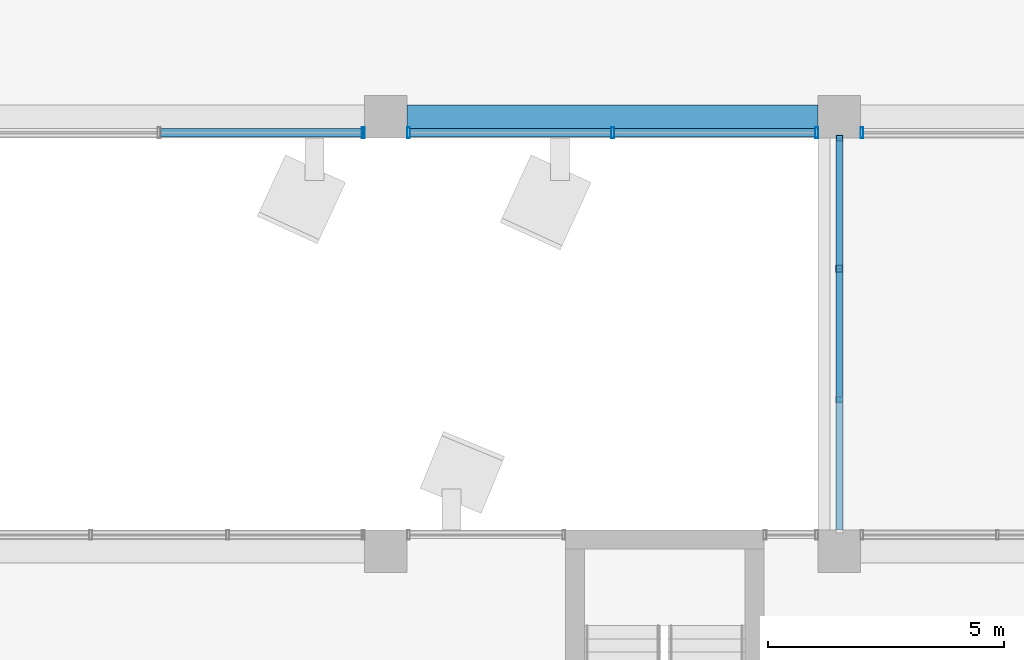
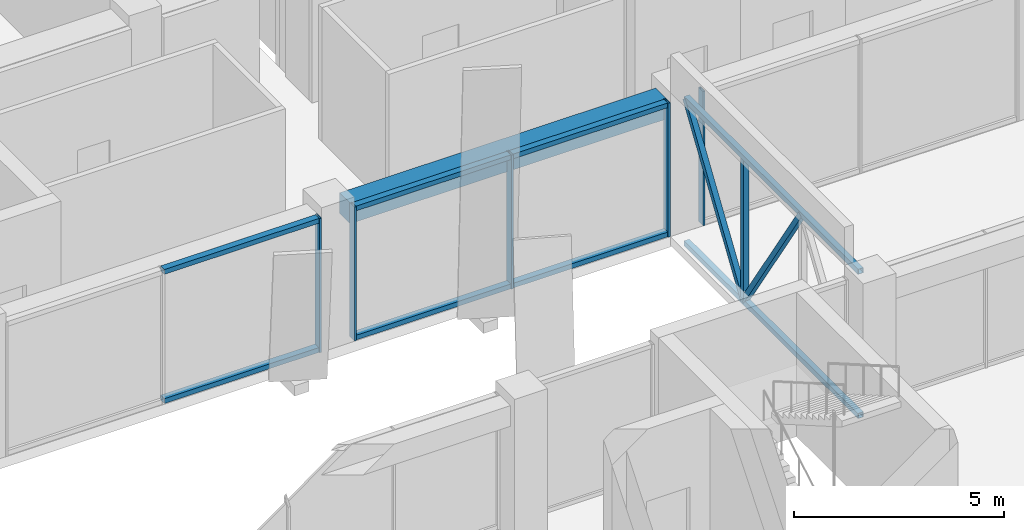
# One storey, part 10 of 38: 16 members, 1 beam, 3 elements without a shape of their own.
"""IFC4 building model written with IfcOpenShell, lengths in metres."""

import ifcopenshell
import ifcopenshell.guid

model = None  # the IFC model being written
_history = None  # IfcOwnerHistory: only IFC2X3 demands one
_inside = {}  # id of a spatial element -> (the spatial element, [elements in it])
_under = {}  # id of a project, library or spatial element -> (it, [spatial elements below it])
_declared = {}  # id of a project -> (the project, [libraries it declares])
_typed = {}  # id of a type object -> (the type object, [elements of that type])
_made_of = {}  # id of a material, layer set ... -> (it, [elements and type objects made of it])


def new_model(schema):
    """Start an empty IFC model of exactly this schema.

    Asked for "IFC4X3", IfcOpenShell would pick the latest addendum, in which some entities
    have other attributes; the version numbers below select the first issue.
    IFC2X3 requires an IfcOwnerHistory on every rooted entity: one is made here for all.
    """
    global model, _history
    if schema == "IFC4X3":
        model = ifcopenshell.file(schema_version=(4, 3, 0, 0))
    else:
        model = ifcopenshell.file(schema=schema)
    _inside.clear()
    _under.clear()
    _declared.clear()
    _typed.clear()
    _made_of.clear()
    _history = None
    if model.schema == "IFC2X3":
        org = make("IfcOrganization", Name="unknown")
        user = make(
            "IfcPersonAndOrganization",
            ThePerson=make("IfcPerson", FamilyName="unknown"),
            TheOrganization=org,
        )
        app = make(
            "IfcApplication",
            ApplicationDeveloper=org,
            Version="unknown",
            ApplicationFullName="unknown",
            ApplicationIdentifier="unknown",
        )
        _history = make(
            "IfcOwnerHistory",
            OwningUser=user,
            OwningApplication=app,
            ChangeAction="ADDED",
            CreationDate=0,
        )
    return model


def make(cls, **values):
    """One entity of the class cls with the attributes given. An attribute that is None is left unset."""
    return model.create_entity(
        cls, **{name: value for name, value in values.items() if value is not None}
    )


def rooted(cls, **values):
    """An entity with a GlobalId (a new one), such as an element, a storey or a relation."""
    return make(cls, GlobalId=ifcopenshell.guid.new(), OwnerHistory=_history, **values)


def si_unit(unit_type, name, prefix=None):
    """IfcSIUnit, for example si_unit("LENGTHUNIT", "METRE", prefix="MILLI")."""
    return make("IfcSIUnit", UnitType=unit_type, Prefix=prefix, Name=name)


def assignment(units):
    """IfcUnitAssignment: the units of a project."""
    return None if units is None else make("IfcUnitAssignment", Units=units)


def point(xyz):
    """IfcCartesianPoint."""
    return None if xyz is None else make("IfcCartesianPoint", Coordinates=xyz)


def direction(xyz):
    """IfcDirection."""
    return None if xyz is None else make("IfcDirection", DirectionRatios=xyz)


def frame(location, z_axis=None, x_axis=None):
    """IfcAxis2Placement3D, a coordinate frame: its origin and axes. An axis left out is left unset."""
    return make(
        "IfcAxis2Placement3D",
        Location=point(location),
        Axis=direction(z_axis),
        RefDirection=direction(x_axis),
    )


def frame_2d(location, x_axis=None):
    """IfcAxis2Placement2D, a coordinate frame in the plane: its origin and x axis."""
    return make(
        "IfcAxis2Placement2D", Location=point(location), RefDirection=direction(x_axis)
    )


def origin():
    """The frame at (0, 0, 0) with its axes left unset."""
    return frame((0.0, 0.0, 0.0))


def origin_2d():
    """The frame at (0, 0) in the plane with its x axis left unset."""
    return frame_2d((0.0, 0.0))


def place(relative_to, where):
    """IfcLocalPlacement: puts the frame where relative to a parent placement (None: the world)."""
    return make(
        "IfcLocalPlacement", PlacementRelTo=relative_to, RelativePlacement=where
    )


def context(
    kind, dimensions, precision=None, world=None, true_north=None, identifier=None
):
    """IfcGeometricRepresentationContext, for example the 3D "Model" context."""
    return make(
        "IfcGeometricRepresentationContext",
        ContextIdentifier=identifier,
        ContextType=kind,
        CoordinateSpaceDimension=dimensions,
        Precision=precision,
        WorldCoordinateSystem=world,
        TrueNorth=true_north,
    )


def subcontext(parent, identifier, kind, view, scale=None):
    """IfcGeometricRepresentationSubContext, for example "Body" below "Model"."""
    return make(
        "IfcGeometricRepresentationSubContext",
        ContextIdentifier=identifier,
        ContextType=kind,
        ParentContext=parent,
        TargetScale=scale,
        TargetView=view,
    )


def project(units=None, contexts=None):
    """IfcProject with its units and contexts."""
    return rooted(
        "IfcProject",
        Name="project",
        RepresentationContexts=contexts,
        UnitsInContext=assignment(units),
    )


def spatial(cls, under=None, at=None, **own):
    """A site, building, storey or space (cls), placed at a placement, below another one or the project."""
    s = rooted(cls, ObjectPlacement=at, **own)
    if under is not None:
        _under.setdefault(under.id(), (under, []))[1].append(s)
    return s


def profile(cls, at=None, kind="AREA", **sizes):
    """A parametric profile (cls). Its sizes go by their IFC names, for example OverallWidth=200.0."""
    return make(cls, ProfileType=kind, Position=at, **sizes)


def rectangle(**sizes):
    """IfcRectangleProfileDef."""
    return profile("IfcRectangleProfileDef", **sizes)


def hollow_rectangle(**sizes):
    """IfcRectangleHollowProfileDef."""
    return profile("IfcRectangleHollowProfileDef", **sizes)


def extrude(swept, where, along, depth):
    """IfcExtrudedAreaSolid: the profile swept, set in the frame where, extruded along a direction by depth."""
    return make(
        "IfcExtrudedAreaSolid",
        SweptArea=swept,
        Position=where,
        ExtrudedDirection=direction(along),
        Depth=depth,
    )


def shape(context_of_items, identifier, shape_type, items):
    """IfcShapeRepresentation: the items that make up one representation, for example the "Body"."""
    return make(
        "IfcShapeRepresentation",
        ContextOfItems=context_of_items,
        RepresentationIdentifier=identifier,
        RepresentationType=shape_type,
        Items=items,
    )


def material(Name=None, Category=None):
    """IfcMaterial."""
    return make("IfcMaterial", Name=Name, Category=Category)


def layer(
    of_material, thickness, ventilated=None, Name=None, Category=None, Priority=None
):
    """IfcMaterialLayer: one layer of a wall or slab, of a material (None: an air gap)."""
    return make(
        "IfcMaterialLayer",
        Material=of_material,
        LayerThickness=thickness,
        IsVentilated=ventilated,
        Name=Name,
        Category=Category,
        Priority=Priority,
    )


def layer_set(layers, Name=None):
    """IfcMaterialLayerSet."""
    return make("IfcMaterialLayerSet", MaterialLayers=layers, LayerSetName=Name)


def material_profile(
    of_material, cross_section, Name=None, Category=None, Priority=None
):
    """IfcMaterialProfile: a cross section and its material."""
    return make(
        "IfcMaterialProfile",
        Name=Name,
        Material=of_material,
        Profile=cross_section,
        Priority=Priority,
        Category=Category,
    )


def profile_set(profiles, Name=None, composite=None):
    """IfcMaterialProfileSet."""
    return make(
        "IfcMaterialProfileSet",
        Name=Name,
        MaterialProfiles=profiles,
        CompositeProfile=composite,
    )


def made_of(thing, what):
    """Note that an element or type object is made of a material, layer set ...; save() writes the relation."""
    if what is not None:
        _made_of.setdefault(what.id(), (what, []))[1].append(thing)
    return thing


def type_object(cls, material=None, **own):
    """A type object (cls), such as IfcWallType, which elements share."""
    return made_of(rooted(cls, **own), material)


def element(
    cls,
    number,
    at=None,
    inside=None,
    cuts=None,
    type_object=None,
    material=None,
    context=None,
    identifier="Body",
    shape_type=None,
    held_by="IfcProductDefinitionShape",
    body=None,
    shapes=None,
    **own,
):
    """One element of the class cls, such as IfcWall. Its Tag is "e" and its number.

    at: its placement. inside: the storey or other place that contains it. cuts: it is an
    opening in that element (IfcRelVoidsElement). A single representation is given by context,
    identifier, shape_type and body (its items); several are given by shapes. held_by: the class
    of the entity that holds the representations. save() writes the other relations.
    """
    e = rooted(cls, Tag="e%d" % number, ObjectPlacement=at, **own)
    if body is not None:
        shapes = [shape(context, identifier, shape_type, body)]
    if shapes is not None:
        e.Representation = make(held_by, Representations=shapes)
    if inside is not None:
        _inside.setdefault(inside.id(), (inside, []))[1].append(e)
    if cuts is not None:
        rooted(
            "IfcRelVoidsElement", RelatingBuildingElement=cuts, RelatedOpeningElement=e
        )
    if type_object is not None:
        _typed.setdefault(type_object.id(), (type_object, []))[1].append(e)
    return made_of(e, material)


def aggregate(whole, parts):
    """IfcRelAggregates: a whole, such as a stair, and the parts it consists of."""
    return rooted("IfcRelAggregates", RelatingObject=whole, RelatedObjects=parts)


def save(model, path):
    """Write the relations noted so far, then the file.

    IfcRelAggregates (storeys below a building ...), IfcRelContainedInSpatialStructure (elements
    in a storey), IfcRelDefinesByType, IfcRelAssociatesMaterial and IfcRelDeclares: one each for
    every whole, place, type object, material and project.
    """
    for whole, parts in _under.values():
        aggregate(whole, parts)
    for where, things in _inside.values():
        rooted(
            "IfcRelContainedInSpatialStructure",
            RelatedElements=things,
            RelatingStructure=where,
        )
    for kind, things in _typed.values():
        rooted("IfcRelDefinesByType", RelatedObjects=things, RelatingType=kind)
    for what, things in _made_of.values():
        rooted("IfcRelAssociatesMaterial", RelatedObjects=things, RelatingMaterial=what)
    for by, libraries in _declared.values():
        rooted("IfcRelDeclares", RelatingContext=by, RelatedDefinitions=libraries)
    model.write(path)


model = new_model("IFC4")

# Units and contexts
model_context = context("Model", 3, precision=1e-05, world=origin(), true_north=direction((0.0, 1.0)))
body_context = subcontext(model_context, "Body", "Model", "MODEL_VIEW")
ifc_project = project(units=[si_unit("LENGTHUNIT", "METRE"), si_unit("AREAUNIT", "SQUARE_METRE"), si_unit("VOLUMEUNIT", "CUBIC_METRE"), si_unit("PLANEANGLEUNIT", "RADIAN"), si_unit("MASSUNIT", "GRAM", prefix="KILO")], contexts=[model_context])

# Site, building, storey
site_placement = place(None, origin())
site = spatial("IfcSite", under=ifc_project, at=site_placement, CompositionType="ELEMENT")
building_placement = place(site_placement, origin())
building = spatial("IfcBuilding", under=site, at=building_placement, Name="Nzadi Deep Aquarium and Research Tower", CompositionType="ELEMENT")
storey_placement = place(building_placement, frame((0.0, 0.0, 48.699951171875)))
storey = spatial("IfcBuildingStorey", under=building, at=storey_placement, Name="L09", CompositionType="ELEMENT", Elevation=48.699951171875)

# Curtain wall, member
ifc_material_1 = material(Name="Aluminium unitised frame deep", Category="aluminium")
ifc_layer = layer(ifc_material_1, 0.22509765625)
ifc_layer_set = layer_set([ifc_layer], Name="Aluminium unitised frame deep")
curtain_wall_type = type_object("IfcCurtainWallType", Name="Curtain wall Unitised Deep 225", PredefinedType="NOTDEFINED", material=ifc_layer_set)
curtain_wall_1_placement = place(storey_placement, origin())
curtain_wall_1 = element("IfcCurtainWall", 1, at=curtain_wall_1_placement, inside=storey, type_object=curtain_wall_type, Name="Unitised curtain wall blade B south L09", PredefinedType="NOTDEFINED")
ifc_material_2 = material(Name="Aluminium unitised frame deep", Category="aluminium")
ifc_material_profile_1 = material_profile(ifc_material_2, hollow_rectangle(XDim=0.22509765625, YDim=0.06005859375, WallThickness=0.0048828125, at=origin_2d()))
ifc_profile_set_1 = profile_set([ifc_material_profile_1], Name="Aluminium unitised frame deep")
member_type_1 = type_object("IfcMemberType", Name="Mullion 60x225 Unitised Deep", PredefinedType="MULLION", material=ifc_profile_set_1)
member_1_placement = place(storey_placement, frame((18.719970703125, 27.262451171875, 0.0), z_axis=(0.0, 0.0, 1.0), x_axis=(0.0, 1.0, 0.0)))
member_1 = element("IfcMember", 2, at=member_1_placement, type_object=member_type_1, Name="CW119 mullion 3", PredefinedType="MULLION", context=body_context, shape_type="SweptSolid", body=[
    extrude(hollow_rectangle(XDim=0.22509765625, YDim=0.06005859375, WallThickness=0.0048828125, at=origin_2d()), origin(), (0.0, 0.0, 1.0), 3.900146484375),
])

# Curtain wall, members
curtain_wall_2_placement = place(storey_placement, origin())
curtain_wall_2 = element("IfcCurtainWall", 3, at=curtain_wall_2_placement, inside=storey, type_object=curtain_wall_type, Name="Unitised curtain wall blade B south L09", PredefinedType="NOTDEFINED")
member_2_placement = place(storey_placement, frame((19.679931640625, 27.262451171875, 0.0), z_axis=(0.0, 0.0, 1.0), x_axis=(0.0, 1.0, 0.0)))
member_2 = element("IfcMember", 4, at=member_2_placement, type_object=member_type_1, Name="CW120 mullion 1", PredefinedType="MULLION", context=body_context, shape_type="SweptSolid", body=[
    extrude(hollow_rectangle(XDim=0.22509765625, YDim=0.06005859375, WallThickness=0.0048828125, at=origin_2d()), origin(), (0.0, 0.0, 1.0), 3.900146484375),
])
member_3_placement = place(storey_placement, frame((24.0, 27.262451171875, 0.0), z_axis=(0.0, 0.0, 1.0), x_axis=(0.0, 1.0, 0.0)))
member_3 = element("IfcMember", 5, at=member_3_placement, type_object=member_type_1, Name="CW120 mullion 2", PredefinedType="MULLION", context=body_context, shape_type="SweptSolid", body=[
    extrude(hollow_rectangle(XDim=0.22509765625, YDim=0.06005859375, WallThickness=0.0048828125, at=origin_2d()), origin(), (0.0, 0.0, 1.0), 3.900146484375),
])
member_4_placement = place(storey_placement, frame((28.320068359375, 27.262451171875, 0.0), z_axis=(0.0, 0.0, 1.0), x_axis=(0.0, 1.0, 0.0)))
member_4 = element("IfcMember", 6, at=member_4_placement, type_object=member_type_1, Name="CW120 mullion 3", PredefinedType="MULLION", context=body_context, shape_type="SweptSolid", body=[
    extrude(hollow_rectangle(XDim=0.22509765625, YDim=0.06005859375, WallThickness=0.0048828125, at=origin_2d()), origin(), (0.0, 0.0, 1.0), 3.900146484375),
])

# Curtain wall, member
curtain_wall_3_placement = place(storey_placement, origin())
curtain_wall_3 = element("IfcCurtainWall", 7, at=curtain_wall_3_placement, inside=storey, type_object=curtain_wall_type, Name="Unitised curtain wall blade B south L09", PredefinedType="NOTDEFINED")
member_5_placement = place(storey_placement, frame((29.280029296875, 27.262451171875, 0.0), z_axis=(0.0, 0.0, 1.0), x_axis=(0.0, 1.0, 0.0)))
member_5 = element("IfcMember", 8, at=member_5_placement, type_object=member_type_1, Name="CW121 mullion 1", PredefinedType="MULLION", context=body_context, shape_type="SweptSolid", body=[
    extrude(hollow_rectangle(XDim=0.22509765625, YDim=0.06005859375, WallThickness=0.0048828125, at=origin_2d()), origin(), (0.0, 0.0, 1.0), 3.900146484375),
])
aggregate(curtain_wall_3, [member_5])

# Beam
ifc_material_3 = material(Name="Concrete C35/45", Category="concrete")
ifc_material_profile_2 = material_profile(ifc_material_3, rectangle(XDim=0.5, YDim=0.60009765625, at=origin_2d()))
ifc_profile_set_2 = profile_set([ifc_material_profile_2], Name="Concrete C35/45")
beam_type = type_object("IfcBeamType", Name="RC 500x600", PredefinedType="BEAM", material=ifc_profile_set_2)
beam_placement = place(storey_placement, frame((19.64990234375, 27.60009765625, 3.60009765625), z_axis=(1.0, 0.0, 0.0), x_axis=(0.0, 1.0, 0.0)))
element("IfcBeam", 9, at=beam_placement, inside=storey, type_object=beam_type, Name="B-Z1-L09-L4-3", PredefinedType="BEAM", context=body_context, shape_type="SweptSolid", body=[
    extrude(rectangle(XDim=0.5, YDim=0.60009765625, at=origin_2d()), origin(), (0.0, 0.0, 1.0), 8.7001953125),
])

# Members
ifc_material_4 = material(Name="Steel S355", Category="steel")
ifc_material_profile_3 = material_profile(ifc_material_4, hollow_rectangle(XDim=0.14990234375, YDim=0.14990234375, WallThickness=0.010009765625, at=origin_2d()))
ifc_profile_set_3 = profile_set([ifc_material_profile_3], Name="Steel S355")
member_type_2 = type_object("IfcMemberType", Name="RHS 150x150x10 brace", PredefinedType="BRACE", material=ifc_profile_set_3)
for number, where, z_axis, x_axis, name in (
    (10, (28.800048828125, 21.61669921875, 3.875), (0.0, 0.550098751185, -0.835099613187), (-1.0, 0.0, 0.0), "MB-BR-L09-T1-D2"),
    (11, (28.800048828125, 24.38330078125, -0.324951171875), (0.0, 0.550098751185, 0.835099613187), (-1.0, 0.0, 0.0), "MB-BR-L09-T1-D3"),
):
    element("IfcMember", number, at=place(storey_placement, frame(where, z_axis=z_axis, x_axis=x_axis)), inside=storey, type_object=member_type_2, Name=name, PredefinedType="BRACE", context=body_context, shape_type="SweptSolid", body=[
        extrude(hollow_rectangle(XDim=0.14990234375, YDim=0.14990234375, WallThickness=0.010009765625, at=origin_2d()), origin(), (0.0, 0.0, 1.0), 5.029296875),
    ])
ifc_material_5 = material(Name="Steel S355", Category="steel")
ifc_material_profile_4 = material_profile(ifc_material_5, hollow_rectangle(XDim=0.14990234375, YDim=0.14990234375, WallThickness=0.008056640625, at=origin_2d()))
ifc_profile_set_4 = profile_set([ifc_material_profile_4], Name="Steel S355")
member_type_3 = type_object("IfcMemberType", Name="RHS 150x150x8 chord", PredefinedType="CHORD", material=ifc_profile_set_4)
for number, where, z_axis, x_axis, name in (
    (12, (28.800048828125, 18.85009765625, -0.324951171875), (0.0, 1.0, 0.0), (-1.0, 0.0, 0.0), "MB-BR-L09-T1-BOT"),
    (13, (28.800048828125, 18.85009765625, 3.875), (0.0, 1.0, 0.0), (-1.0, 0.0, 0.0), "MB-BR-L09-T1-TOP"),
):
    element("IfcMember", number, at=place(storey_placement, frame(where, z_axis=z_axis, x_axis=x_axis)), inside=storey, type_object=member_type_3, Name=name, PredefinedType="CHORD", context=body_context, shape_type="SweptSolid", body=[
        extrude(hollow_rectangle(XDim=0.14990234375, YDim=0.14990234375, WallThickness=0.008056640625, at=origin_2d()), origin(), (0.0, 0.0, 1.0), 8.2998046875),
    ])
ifc_material_6 = material(Name="Steel S355", Category="steel")
ifc_material_profile_5 = material_profile(ifc_material_6, hollow_rectangle(XDim=0.14990234375, YDim=0.14990234375, WallThickness=0.008056640625, at=origin_2d()))
ifc_profile_set_5 = profile_set([ifc_material_profile_5], Name="Steel S355")
member_type_4 = type_object("IfcMemberType", Name="RHS 150x150x8 post", PredefinedType="POST", material=ifc_profile_set_5)
member_6_placement = place(storey_placement, frame((28.800048828125, 24.38330078125, -0.25), z_axis=(0.0, 0.0, 1.0), x_axis=(1.0, 0.0, 0.0)))
element("IfcMember", 14, at=member_6_placement, inside=storey, type_object=member_type_4, Name="MB-BR-L09-T1-V2", PredefinedType="POST", context=body_context, shape_type="SweptSolid", body=[
    extrude(hollow_rectangle(XDim=0.14990234375, YDim=0.14990234375, WallThickness=0.008056640625, at=origin_2d()), origin(), (0.0, 0.0, 1.0), 4.050048828125),
])

# Member
ifc_material_7 = material(Name="Aluminium unitised frame deep", Category="aluminium")
ifc_material_profile_6 = material_profile(ifc_material_7, hollow_rectangle(XDim=0.179931640625, YDim=0.139892578125, WallThickness=0.0048828125, at=origin_2d()))
ifc_profile_set_6 = profile_set([ifc_material_profile_6], Name="Aluminium unitised frame deep")
member_type_5 = type_object("IfcMemberType", Name="Transom 140x180 Unitised Deep", PredefinedType="MULLION", material=ifc_profile_set_6)
member_7_placement = place(storey_placement, frame((14.429931640625, 27.262451171875, 0.070068359375), z_axis=(1.0, 0.0, 0.0), x_axis=(0.0, 1.0, 0.0)))
member_7 = element("IfcMember", 15, at=member_7_placement, type_object=member_type_5, Name="CW119 transom 2.1", PredefinedType="MULLION", context=body_context, shape_type="SweptSolid", body=[
    extrude(hollow_rectangle(XDim=0.179931640625, YDim=0.139892578125, WallThickness=0.0048828125, at=origin_2d()), origin(), (0.0, 0.0, 1.0), 4.260009765625),
])

member_8_placement = place(storey_placement, frame((14.429931640625, 27.262451171875, 3.830078125), z_axis=(1.0, 0.0, 0.0), x_axis=(0.0, 1.0, 0.0)))
member_8 = element("IfcMember", 16, at=member_8_placement, type_object=member_type_5, Name="CW119 transom 2.2", PredefinedType="MULLION", context=body_context, shape_type="SweptSolid", body=[
    extrude(hollow_rectangle(XDim=0.179931640625, YDim=0.139892578125, WallThickness=0.0048828125, at=origin_2d()), origin(), (0.0, 0.0, 1.0), 4.260009765625),
])

aggregate(curtain_wall_1, [member_1, member_7, member_8])

member_9_placement = place(storey_placement, frame((19.7099609375, 27.262451171875, 0.070068359375), z_axis=(1.0, 0.0, 0.0), x_axis=(0.0, 1.0, 0.0)))
member_9 = element("IfcMember", 17, at=member_9_placement, type_object=member_type_5, Name="CW120 transom 1.1", PredefinedType="MULLION", context=body_context, shape_type="SweptSolid", body=[
    extrude(hollow_rectangle(XDim=0.179931640625, YDim=0.139892578125, WallThickness=0.0048828125, at=origin_2d()), origin(), (0.0, 0.0, 1.0), 4.260009765625),
])

member_10_placement = place(storey_placement, frame((19.7099609375, 27.262451171875, 3.830078125), z_axis=(1.0, 0.0, 0.0), x_axis=(0.0, 1.0, 0.0)))
member_10 = element("IfcMember", 18, at=member_10_placement, type_object=member_type_5, Name="CW120 transom 1.2", PredefinedType="MULLION", context=body_context, shape_type="SweptSolid", body=[
    extrude(hollow_rectangle(XDim=0.179931640625, YDim=0.139892578125, WallThickness=0.0048828125, at=origin_2d()), origin(), (0.0, 0.0, 1.0), 4.260009765625),
])

member_11_placement = place(storey_placement, frame((24.030029296875, 27.262451171875, 0.070068359375), z_axis=(1.0, 0.0, 0.0), x_axis=(0.0, 1.0, 0.0)))
member_11 = element("IfcMember", 19, at=member_11_placement, type_object=member_type_5, Name="CW120 transom 2.1", PredefinedType="MULLION", context=body_context, shape_type="SweptSolid", body=[
    extrude(hollow_rectangle(XDim=0.179931640625, YDim=0.139892578125, WallThickness=0.0048828125, at=origin_2d()), origin(), (0.0, 0.0, 1.0), 4.260009765625),
])

member_12_placement = place(storey_placement, frame((24.030029296875, 27.262451171875, 3.830078125), z_axis=(1.0, 0.0, 0.0), x_axis=(0.0, 1.0, 0.0)))
member_12 = element("IfcMember", 20, at=member_12_placement, type_object=member_type_5, Name="CW120 transom 2.2", PredefinedType="MULLION", context=body_context, shape_type="SweptSolid", body=[
    extrude(hollow_rectangle(XDim=0.179931640625, YDim=0.139892578125, WallThickness=0.0048828125, at=origin_2d()), origin(), (0.0, 0.0, 1.0), 4.260009765625),
])

aggregate(curtain_wall_2, [member_2, member_3, member_4, member_9, member_10, member_11, member_12])

save(model, "model.ifc")
